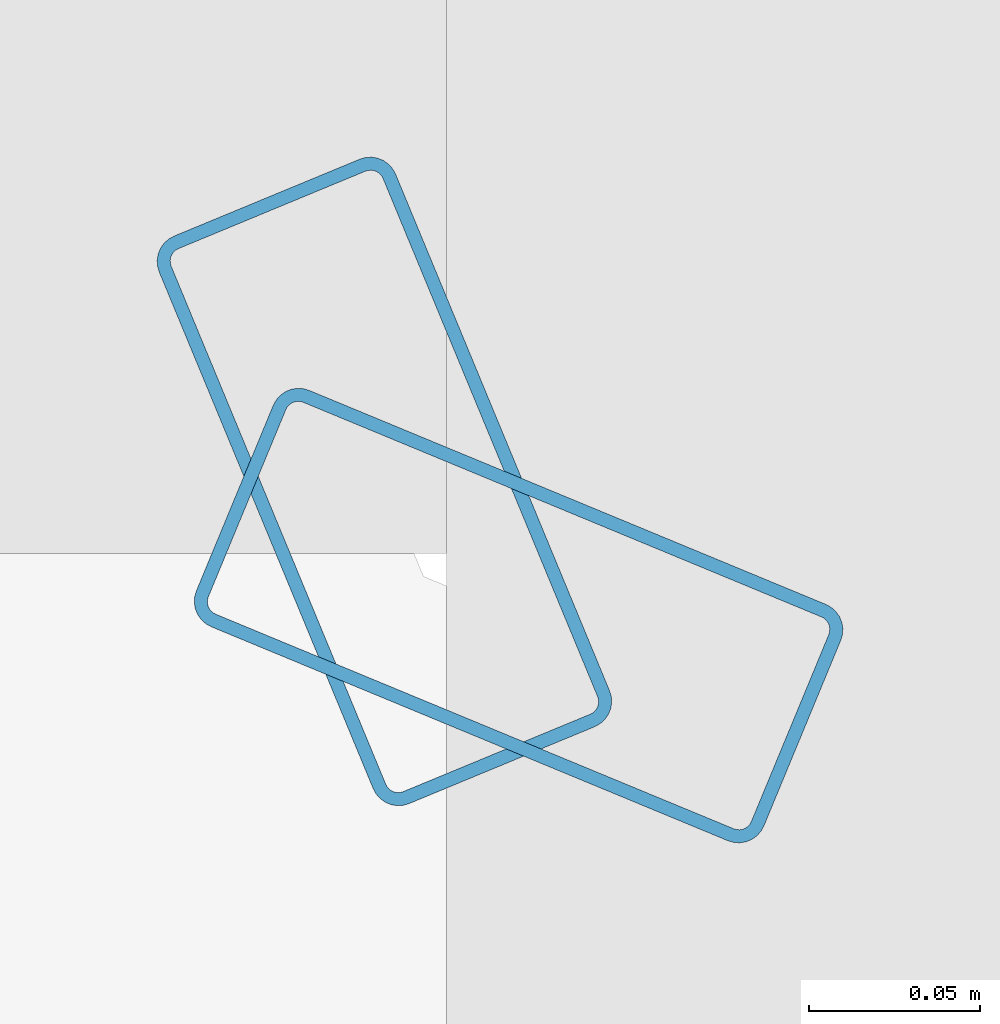
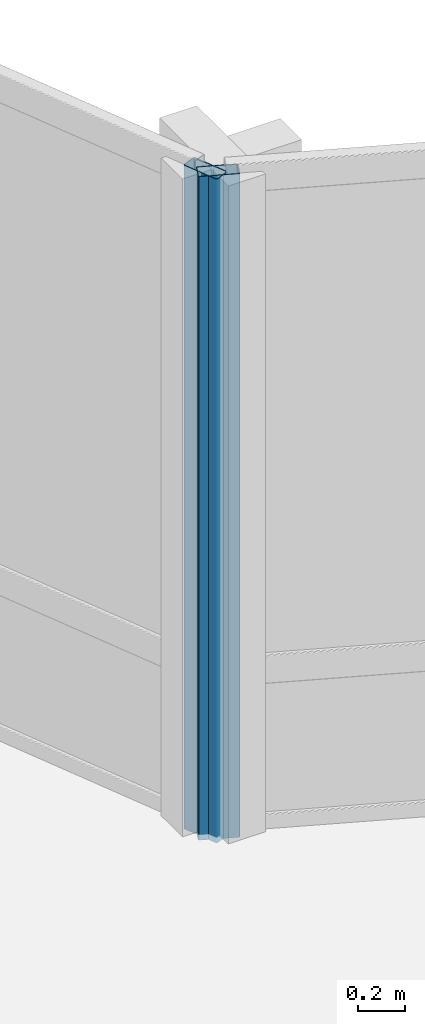
# One storey, part 8 of 27: 2 members, 2 elements without a shape of their own.
"""IFC4 building model written with IfcOpenShell, lengths in metres."""

from ifc_helpers import new_model, si_unit, direction, frame, origin, origin_2d, place, context, subcontext, project, spatial, hollow_rectangle, extrude, material, layer, layer_set, material_profile, profile_set, type_object, element, aggregate, save


model = new_model("IFC4")

# Units and contexts
model_context = context("Model", 3, precision=1e-05, world=origin(), true_north=direction((0.0, 1.0)))
body_context = subcontext(model_context, "Body", "Model", "MODEL_VIEW")
ifc_project = project(units=[si_unit("LENGTHUNIT", "METRE"), si_unit("AREAUNIT", "SQUARE_METRE"), si_unit("VOLUMEUNIT", "CUBIC_METRE"), si_unit("PLANEANGLEUNIT", "RADIAN"), si_unit("MASSUNIT", "GRAM", prefix="KILO")], contexts=[model_context])

# Site, building, storey
site_placement = place(None, origin())
site = spatial("IfcSite", under=ifc_project, at=site_placement, CompositionType="ELEMENT")
building_placement = place(site_placement, origin())
building = spatial("IfcBuilding", under=site, at=building_placement, Name="Solvaryn Broadcast Tower", CompositionType="ELEMENT")
storey_placement = place(building_placement, frame((0.0, 0.0, 174.199951171875)))
storey = spatial("IfcBuildingStorey", under=building, at=storey_placement, Name="L43", CompositionType="ELEMENT", Elevation=174.199951171875)

# Curtain wall, member
ifc_material_1 = material(Name="Aluminium and Terracotta Unitised Curtain Wall", Category="masonry")
ifc_layer = layer(ifc_material_1, 0.199951171875)
ifc_layer_set = layer_set([ifc_layer], Name="CW-SYS2-LOWMID")
curtain_wall_type = type_object("IfcCurtainWallType", Name="CW-SYS2-LOWMID", PredefinedType="NOTDEFINED", material=ifc_layer_set)
curtain_wall_1_placement = place(storey_placement, origin())
curtain_wall_1 = element("IfcCurtainWall", 1, at=curtain_wall_1_placement, inside=storey, type_object=curtain_wall_type, Name="L43 Curtain Wall CN1", PredefinedType="NOTDEFINED")
ifc_material_2 = material(Name="Anodised Aluminium 6063-T6", Category="aluminium")
ifc_material_profile = material_profile(ifc_material_2, hollow_rectangle(XDim=0.074951171875, YDim=0.179931640625, WallThickness=0.00390625, InnerFilletRadius=0.00390625, OuterFilletRadius=0.008056640625, at=origin_2d()))
ifc_profile_set = profile_set([ifc_material_profile], Name="Anodised Aluminium 6063-T6")
member_type = type_object("IfcMemberType", Name="CW-MUL-180", PredefinedType="MULLION", material=ifc_profile_set)
member_1_placement = place(storey_placement, frame((30.395751953125, 30.3564453125, 0.0), z_axis=(0.0, 0.0, 1.0), x_axis=(-0.382646127145, -0.923894983957, 0.0)))
member_1 = element("IfcMember", 2, at=member_1_placement, type_object=member_type, Name="CWS2 mullion 2", PredefinedType="MULLION", context=body_context, shape_type="SweptSolid", body=[
    extrude(hollow_rectangle(XDim=0.074951171875, YDim=0.179931640625, WallThickness=0.00390625, InnerFilletRadius=0.00390625, OuterFilletRadius=0.008056640625, at=origin_2d()), origin(), (0.0, 0.0, 1.0), 3.420166015625),
])
aggregate(curtain_wall_1, [member_1])

curtain_wall_2_placement = place(storey_placement, origin())
curtain_wall_2 = element("IfcCurtainWall", 3, at=curtain_wall_2_placement, inside=storey, type_object=curtain_wall_type, Name="L43 Curtain Wall CN2", PredefinedType="NOTDEFINED")
member_2_placement = place(storey_placement, frame((30.3564453125, 30.395751953125, 0.0), z_axis=(0.0, 0.0, 1.0), x_axis=(-0.923894983957, -0.382646127145, 0.0)))
member_2 = element("IfcMember", 4, at=member_2_placement, type_object=member_type, Name="CWS2 mullion 1", PredefinedType="MULLION", context=body_context, shape_type="SweptSolid", body=[
    extrude(hollow_rectangle(XDim=0.074951171875, YDim=0.179931640625, WallThickness=0.00390625, InnerFilletRadius=0.00390625, OuterFilletRadius=0.008056640625, at=origin_2d()), origin(), (0.0, 0.0, 1.0), 3.420166015625),
])
aggregate(curtain_wall_2, [member_2])

save(model, "model.ifc")
